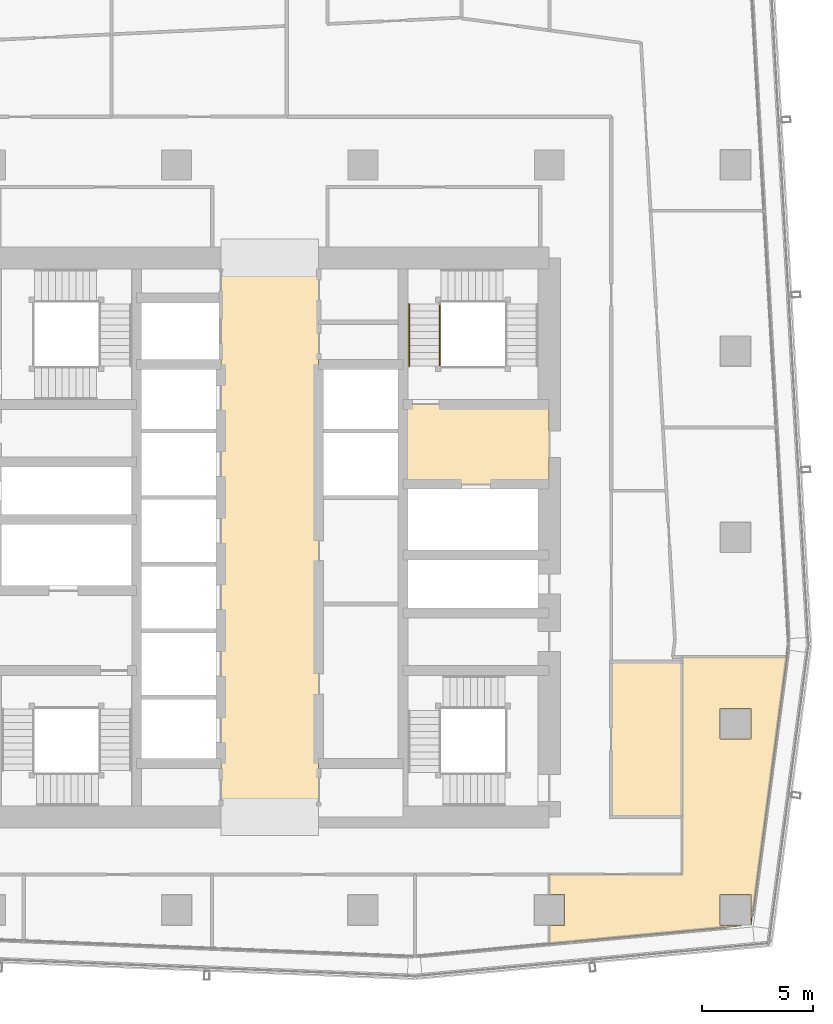
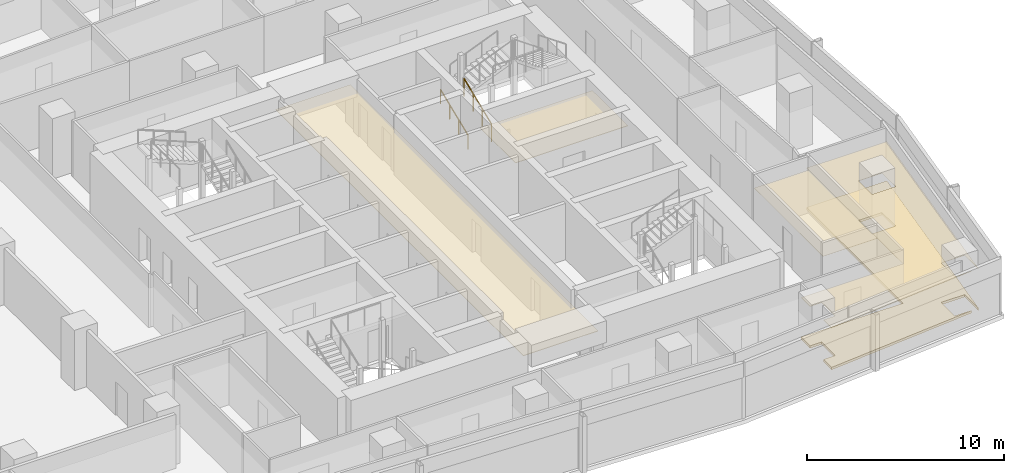
# One storey, part 33 of 35: 5 coverings, 2 railings.
"""IFC4 building model written with IfcOpenShell, lengths in metres."""

from ifc_helpers import new_model, si_unit, direction, frame, origin, origin_2d, place, context, subcontext, project, spatial, polyline, circle, outline, extrude, material, layer, layer_set, type_object, element, save


model = new_model("IFC4")

# Units and contexts
model_context = context("Model", 3, precision=1e-05, world=origin(), true_north=direction((0.0, 1.0)))
body_context = subcontext(model_context, "Body", "Model", "MODEL_VIEW")
ifc_project = project(units=[si_unit("LENGTHUNIT", "METRE"), si_unit("AREAUNIT", "SQUARE_METRE"), si_unit("VOLUMEUNIT", "CUBIC_METRE"), si_unit("PLANEANGLEUNIT", "RADIAN"), si_unit("MASSUNIT", "GRAM", prefix="KILO")], contexts=[model_context])

# Site, building, storey
site_placement = place(None, origin())
site = spatial("IfcSite", under=ifc_project, at=site_placement, CompositionType="ELEMENT")
building_placement = place(site_placement, origin())
building = spatial("IfcBuilding", under=site, at=building_placement, Name="Rekha Terrace Tower", CompositionType="ELEMENT")
storey_placement = place(building_placement, frame((0.0, 0.0, 191.449951171875)))
storey = spatial("IfcBuildingStorey", under=building, at=storey_placement, Name="L48", CompositionType="ELEMENT", Elevation=191.449951171875)

# Coverings
ifc_material_1 = material(Name="Mineral fibre tile in exposed grid", Category="finish")
ifc_layer_1 = layer(ifc_material_1, 0.02001953125)
ifc_layer_set_1 = layer_set([ifc_layer_1], Name="Mineral fibre tile in exposed grid")
covering_type_1 = type_object("IfcCoveringType", Name="CL1 600x1200 office grid ceiling", PredefinedType="CEILING", material=ifc_layer_set_1)
covering_1_placement = place(storey_placement, frame((0.0, 0.0, 2.580078125)))
element("IfcCovering", 1, at=covering_1_placement, inside=storey, type_object=covering_type_1, Name="Ceiling L48-04", PredefinedType="CEILING", context=body_context, shape_type="SweptSolid", body=[
    extrude(outline(polyline([(59.489990234375, 16.12890625), (59.510009765625, 16.1279296875), (61.110107421875, 28.2080078125), (56.39990234375, 28.2080078125), (56.39990234375, 18.39990234375), (50.408935546875, 18.39990234375), (50.408935546875, 17.489990234375), (51.090087890625, 17.489990234375), (51.090087890625, 16.110107421875), (50.408935546875, 16.110107421875), (50.408935546875, 15.280029296875), (59.080078125, 16.0869140625), (59.0791015625, 16.110107421875), (58.110107421875, 16.110107421875), (58.110107421875, 17.489990234375), (59.489990234375, 17.489990234375), (59.489990234375, 16.12890625)]), holes=[polyline([(59.489990234375, 24.510009765625), (58.110107421875, 24.510009765625), (58.110107421875, 25.889892578125), (59.489990234375, 25.889892578125), (59.489990234375, 24.510009765625)])]), origin(), (0.0, 0.0, 1.0), 0.02001953125),
])
ifc_material_2 = material(Name="Fibre cement board", Category="finish")
ifc_layer_2 = layer(ifc_material_2, 0.014892578125)
ifc_layer_set_2 = layer_set([ifc_layer_2], Name="Fibre cement board")
covering_type_2 = type_object("IfcCoveringType", Name="CL2 moisture-resistant board ceiling", PredefinedType="CEILING", material=ifc_layer_set_2)
covering_2_placement = place(storey_placement, frame((0.0, 0.0, 2.5849609375)))
element("IfcCovering", 2, at=covering_2_placement, inside=storey, type_object=covering_type_2, Name="Ceiling L48-WCM2", PredefinedType="CEILING", context=body_context, shape_type="SweptSolid", body=[
    extrude(outline(polyline([(56.39990234375, 28.0), (53.199951171875, 28.0), (53.199951171875, 21.0), (56.39990234375, 21.0), (56.39990234375, 28.0)])), origin(), (0.0, 0.0, 1.0), 0.01513671875),
])
ifc_material_3 = material(Name="Powder-coated aluminium pan", Category="aluminium")
ifc_layer_3 = layer(ifc_material_3, 0.030029296875)
ifc_layer_set_3 = layer_set([ifc_layer_3], Name="Powder-coated aluminium pan")
covering_type_3 = type_object("IfcCoveringType", Name="CL3 300x1200 metal pan ceiling", PredefinedType="CEILING", material=ifc_layer_set_3)
covering_3_placement = place(storey_placement, frame((0.0, 0.0, 2.570068359375)))
element("IfcCovering", 3, at=covering_3_placement, inside=storey, type_object=covering_type_3, Name="Ceiling L48-LOBBY", PredefinedType="CEILING", context=body_context, shape_type="SweptSolid", body=[
    extrude(outline(polyline([(40.0, 46.199951171875), (35.60009765625, 46.199951171875), (35.60009765625, 21.0), (40.0, 21.0), (40.0, 46.199951171875)])), origin(), (0.0, 0.0, 1.0), 0.030029296875),
])
covering_4_placement = place(storey_placement, frame((0.0, 0.0, 2.570068359375)))
element("IfcCovering", 4, at=covering_4_placement, inside=storey, type_object=covering_type_3, Name="Ceiling L48-FLB2", PredefinedType="CEILING", context=body_context, shape_type="SweptSolid", body=[
    extrude(outline(polyline([(50.39990234375, 39.60009765625), (43.800048828125, 39.60009765625), (43.800048828125, 36.0), (50.39990234375, 36.0), (50.39990234375, 39.60009765625)])), origin(), (0.0, 0.0, 1.0), 0.030029296875),
])

# Railings
ifc_material_4 = material(Name="Stainless steel balustrade", Category="steel")
railing_type_1 = type_object("IfcRailingType", Name="GR1 1100 stair guard", PredefinedType="GUARDRAIL", material=ifc_material_4)
railing_1_placement = place(storey_placement, frame((45.465087890625, 41.324951171875, 0.125)))
element("IfcRailing", 5, at=railing_1_placement, inside=storey, type_object=railing_type_1, Name="Guard ST2 L48 flight 1", PredefinedType="GUARDRAIL", context=body_context, shape_type="SweptSolid", body=[
    extrude(circle(Radius=0.02392578125, at=origin_2d()), frame((0.0, 0.0, 1.076171875), z_axis=(0.0, 0.927443287984, 0.373963831907), x_axis=(-1.0, 0.0, 0.0)), (0.0, 0.0, 1.0), 3.00830078125),
    extrude(circle(Radius=0.02099609375, at=origin_2d()), origin(), (0.0, 0.0, 1.0), 1.052001953125),
    extrude(circle(Radius=0.02099609375, at=origin_2d()), frame((0.0, 0.929931640625, 0.375)), (0.0, 0.0, 1.0), 1.052001953125),
    extrude(circle(Radius=0.02099609375, at=origin_2d()), frame((0.0, 1.860107421875, 0.75)), (0.0, 0.0, 1.0), 1.052001953125),
    extrude(circle(Radius=0.02099609375, at=origin_2d()), frame((0.0, 2.7900390625, 1.125)), (0.0, 0.0, 1.0), 1.052001953125),
])
ifc_material_5 = material(Name="Stainless steel tube", Category="steel")
railing_type_2 = type_object("IfcRailingType", Name="HR1 900 stair handrail", PredefinedType="HANDRAIL", material=ifc_material_5)
railing_2_placement = place(storey_placement, frame((44.0849609375, 41.324951171875, 0.125)))
element("IfcRailing", 6, at=railing_2_placement, inside=storey, type_object=railing_type_2, Name="Handrail ST2 L48 flight 1", PredefinedType="HANDRAIL", context=body_context, shape_type="SweptSolid", body=[
    extrude(circle(Radius=0.02392578125, at=origin_2d()), frame((0.0, 0.0, 0.8759765625), z_axis=(0.0, 0.927443287984, 0.373963831907), x_axis=(-1.0, 0.0, 0.0)), (0.0, 0.0, 1.0), 3.00830078125),
    extrude(circle(Radius=0.02099609375, at=origin_2d()), origin(), (0.0, 0.0, 1.0), 0.851806640625),
    extrude(circle(Radius=0.02099609375, at=origin_2d()), frame((0.0, 0.929931640625, 0.375)), (0.0, 0.0, 1.0), 0.851806640625),
    extrude(circle(Radius=0.02099609375, at=origin_2d()), frame((0.0, 1.860107421875, 0.75)), (0.0, 0.0, 1.0), 0.851806640625),
    extrude(circle(Radius=0.02099609375, at=origin_2d()), frame((0.0, 2.7900390625, 1.125)), (0.0, 0.0, 1.0), 0.851806640625),
])

# Covering
ifc_material_6 = material(Name="Calcium sulphate panels on steel pedestals", Category="steel")
ifc_layer_4 = layer(ifc_material_6, 0.14990234375)
ifc_layer_set_4 = layer_set([ifc_layer_4], Name="Calcium sulphate panels on steel pedestals")
covering_type_4 = type_object("IfcCoveringType", Name="RF1 150 raised access floor", PredefinedType="FLOORING", material=ifc_layer_set_4)
covering_5_placement = place(storey_placement, origin())
element("IfcCovering", 7, at=covering_5_placement, inside=storey, type_object=covering_type_4, Name="Raised floor L48-04", PredefinedType="FLOORING", context=body_context, shape_type="SweptSolid", body=[
    extrude(outline(polyline([(59.489990234375, 16.12890625), (59.510009765625, 16.1279296875), (61.110107421875, 28.2080078125), (56.39990234375, 28.2080078125), (56.39990234375, 18.39990234375), (50.408935546875, 18.39990234375), (50.408935546875, 17.489990234375), (51.090087890625, 17.489990234375), (51.090087890625, 16.110107421875), (50.408935546875, 16.110107421875), (50.408935546875, 15.280029296875), (59.080078125, 16.0869140625), (59.0791015625, 16.110107421875), (58.110107421875, 16.110107421875), (58.110107421875, 17.489990234375), (59.489990234375, 17.489990234375), (59.489990234375, 16.12890625)]), holes=[polyline([(59.489990234375, 24.510009765625), (58.110107421875, 24.510009765625), (58.110107421875, 25.889892578125), (59.489990234375, 25.889892578125), (59.489990234375, 24.510009765625)])]), origin(), (0.0, 0.0, 1.0), 0.150146484375),
])

save(model, "model.ifc")
